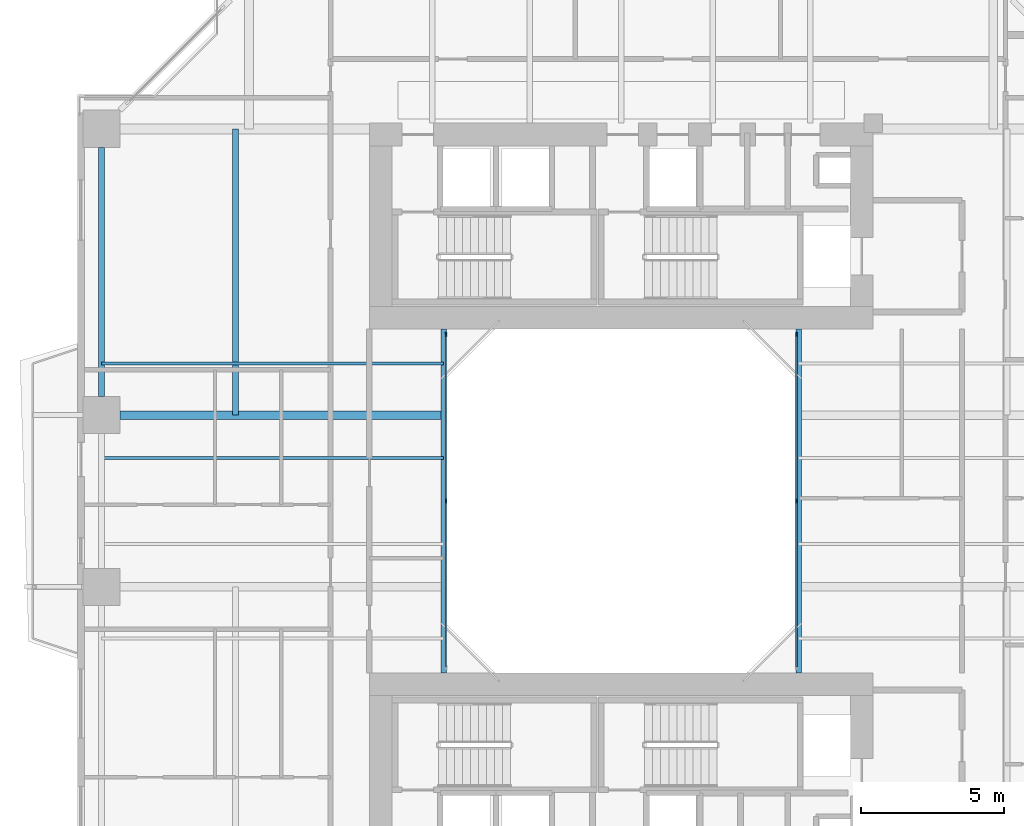
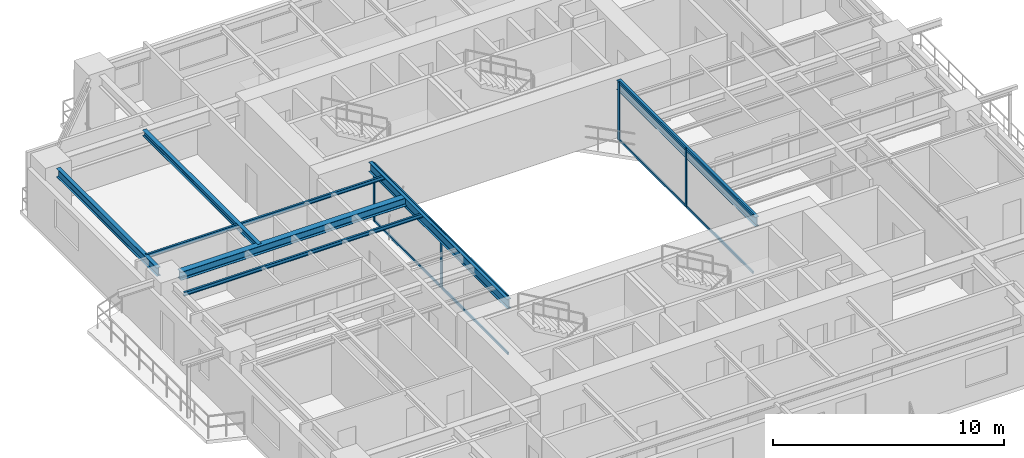
# One storey, part 4 of 23: 12 members, 7 beams, 2 elements without a shape of their own.
"""IFC4 building model written with IfcOpenShell, lengths in metres."""

from ifc_helpers import new_model, si_unit, direction, frame, origin, origin_2d, place, context, subcontext, project, spatial, rectangle, i_section, extrude, source, transform, mapped, material, layer, layer_set, material_profile, profile_set, type_object, element, aggregate, save


model = new_model("IFC4")

# Units and contexts
model_context = context("Model", 3, precision=1e-05, world=origin(), true_north=direction((0.0, 1.0)))
body_context = subcontext(model_context, "Body", "Model", "MODEL_VIEW")
ifc_project = project(units=[si_unit("LENGTHUNIT", "METRE"), si_unit("AREAUNIT", "SQUARE_METRE"), si_unit("VOLUMEUNIT", "CUBIC_METRE"), si_unit("PLANEANGLEUNIT", "RADIAN"), si_unit("MASSUNIT", "GRAM", prefix="KILO"), si_unit("THERMODYNAMICTEMPERATUREUNIT", "KELVIN"), si_unit("POWERUNIT", "WATT")], contexts=[model_context])

# Site, building, storey
site_placement = place(None, origin())
site = spatial("IfcSite", under=ifc_project, at=site_placement, CompositionType="ELEMENT")
building_placement = place(site_placement, origin())
building = spatial("IfcBuilding", under=site, at=building_placement, Name="Qiaomeng Ring Towers", CompositionType="ELEMENT")
storey_placement = place(building_placement, frame((0.0, 0.0, 32.75)))
storey = spatial("IfcBuildingStorey", under=building, at=storey_placement, Name="L08", CompositionType="ELEMENT", Elevation=32.75)

# Beams
ifc_material_1 = material(Name="Steel Q355B", Category="steel")
ifc_material_profile_1 = material_profile(ifc_material_1, i_section(OverallWidth=0.199951171875, OverallDepth=0.5, WebThickness=0.010009765625, FlangeThickness=0.01611328125, FilletRadius=0.02001953125, at=origin_2d()), Name="HN 500x200x10x16")
ifc_profile_set_1 = profile_set([ifc_material_profile_1], Name="Steel Q355B")
beam_type_1 = type_object("IfcBeamType", Name="STR-BM-HN500", PredefinedType="BEAM", material=ifc_profile_set_1)
shared_shape_1 = source(origin(), body_context, "Body", "SweptSolid", [
    extrude(i_section(OverallWidth=0.199951171875, OverallDepth=0.5, WebThickness=0.010009765625, FlangeThickness=0.01611328125, FilletRadius=0.02001953125, at=origin_2d()), origin(), (0.0, 0.0, 1.0), 12.0),
])
for number, where, z_axis, x_axis, name in (
    (1, (12.800048828125, 17.0, 2.820068359375), (0.0, 1.0, 0.0), (-1.0, 0.0, 0.0), "L08 beam STR-BM-L08-WELL-W"),
    (2, (25.199951171875, 17.0, 2.820068359375), (0.0, 1.0, 0.0), (-1.0, 0.0, 0.0), "L08 beam STR-BM-L08-WELL-E"),
):
    element("IfcBeam", number, at=place(storey_placement, frame(where, z_axis=z_axis, x_axis=x_axis)), inside=storey, type_object=beam_type_1, Name=name, PredefinedType="BEAM", context=body_context, shape_type="MappedRepresentation", body=[
        mapped(shared_shape_1, transform((0.0, 0.0, 0.0), x_axis=(1.0, 0.0, 0.0), y_axis=(0.0, 1.0, 0.0), z_axis=(0.0, 0.0, 1.0), scale=1.0)),
    ])
ifc_material_profile_2 = material_profile(ifc_material_1, i_section(OverallWidth=0.199951171875, OverallDepth=0.449951171875, WebThickness=0.009033203125, FlangeThickness=0.013916015625, FilletRadius=0.01806640625, at=origin_2d()), Name="HN 450x200x9x14")
ifc_profile_set_2 = profile_set([ifc_material_profile_2], Name="Steel Q355B")
beam_type_2 = type_object("IfcBeamType", Name="STR-BM-HN450", PredefinedType="SPANDREL", material=ifc_profile_set_2)
shared_shape_2 = source(origin(), body_context, "Body", "SweptSolid", [
    extrude(i_section(OverallWidth=0.199951171875, OverallDepth=0.449951171875, WebThickness=0.009033203125, FlangeThickness=0.013916015625, FilletRadius=0.01806640625, at=origin_2d()), origin(), (0.0, 0.0, 1.0), 8.7021484375),
])
beam_1_placement = place(storey_placement, frame((0.85009765625, 35.35107421875, 2.844970703125), z_axis=(0.0, -1.0, 0.0), x_axis=(1.0, 0.0, 0.0)))
element("IfcBeam", 3, at=beam_1_placement, inside=storey, type_object=beam_type_2, Name="L08 beam STR-SP-L08-T1-W4-W3", PredefinedType="SPANDREL", context=body_context, shape_type="MappedRepresentation", body=[
    mapped(shared_shape_2, transform((0.0, 0.0, 0.0), x_axis=(1.0, 0.0, 0.0), y_axis=(0.0, 1.0, 0.0), z_axis=(0.0, 0.0, 1.0), scale=1.0)),
])
ifc_material_profile_3 = material_profile(ifc_material_1, i_section(OverallWidth=0.300048828125, OverallDepth=0.43994140625, WebThickness=0.010986328125, FlangeThickness=0.01806640625, FilletRadius=0.02392578125, at=origin_2d()), Name="HM 440x300x11x18")
ifc_profile_set_3 = profile_set([ifc_material_profile_3], Name="Steel Q355B")
beam_type_3 = type_object("IfcBeamType", Name="STR-BM-HM440", PredefinedType="BEAM", material=ifc_profile_set_3)
shared_shape_3 = source(origin(), body_context, "Body", "SweptSolid", [
    extrude(i_section(OverallWidth=0.300048828125, OverallDepth=0.43994140625, WebThickness=0.010986328125, FlangeThickness=0.01806640625, FilletRadius=0.02392578125, at=origin_2d()), origin(), (0.0, 0.0, 1.0), 11.301025390625),
])
beam_2_placement = place(storey_placement, frame((1.4990234375, 26.0, 2.85009765625), z_axis=(1.0, 0.0, 0.0), x_axis=(0.0, 1.0, 0.0)))
element("IfcBeam", 4, at=beam_2_placement, inside=storey, type_object=beam_type_3, Name="L08 beam STR-BM-L08-T1-RAD-W3", PredefinedType="BEAM", context=body_context, shape_type="MappedRepresentation", body=[
    mapped(shared_shape_3, transform((0.0, 0.0, 0.0), x_axis=(1.0, 0.0, 0.0), y_axis=(0.0, 1.0, 0.0), z_axis=(0.0, 0.0, 1.0), scale=1.0)),
])
ifc_material_profile_4 = material_profile(ifc_material_1, i_section(OverallWidth=0.10009765625, OverallDepth=0.199951171875, WebThickness=0.005615234375, FlangeThickness=0.008056640625, FilletRadius=0.010986328125, at=origin_2d()), Name="HN 200x100x5.5x8")
ifc_profile_set_4 = profile_set([ifc_material_profile_4], Name="Steel Q355B")
beam_type_4 = type_object("IfcBeamType", Name="STR-BM-HN200", PredefinedType="JOIST", material=ifc_profile_set_4)
shared_shape_4 = source(origin(), body_context, "Body", "SweptSolid", [
    extrude(i_section(OverallWidth=0.10009765625, OverallDepth=0.199951171875, WebThickness=0.005615234375, FlangeThickness=0.008056640625, FilletRadius=0.010986328125, at=origin_2d()), origin(), (0.0, 0.0, 1.0), 11.949951171875),
])
for number, where, z_axis, x_axis, name in (
    (5, (0.85009765625, 24.5, 2.969970703125), (1.0, 0.0, 0.0), (0.0, 1.0, 0.0), "L08 beam STR-JST-L08-T1W-3"),
    (6, (0.85009765625, 27.800048828125, 2.969970703125), (1.0, 0.0, 0.0), (0.0, 1.0, 0.0), "L08 beam STR-JST-L08-T1W-4"),
):
    element("IfcBeam", number, at=place(storey_placement, frame(where, z_axis=z_axis, x_axis=x_axis)), inside=storey, type_object=beam_type_4, Name=name, PredefinedType="JOIST", context=body_context, shape_type="MappedRepresentation", body=[
        mapped(shared_shape_4, transform((0.0, 0.0, 0.0), x_axis=(1.0, 0.0, 0.0), y_axis=(0.0, 1.0, 0.0), z_axis=(0.0, 0.0, 1.0), scale=1.0)),
    ])
ifc_material_profile_5 = material_profile(ifc_material_1, i_section(OverallWidth=0.199951171875, OverallDepth=0.2939453125, WebThickness=0.008056640625, FlangeThickness=0.011962890625, FilletRadius=0.01806640625, at=origin_2d()), Name="HM 294x200x8x12")
ifc_profile_set_5 = profile_set([ifc_material_profile_5], Name="Steel Q355B")
beam_type_5 = type_object("IfcBeamType", Name="STR-BM-HM294", PredefinedType="JOIST", material=ifc_profile_set_5)
shared_shape_5 = source(origin(), body_context, "Body", "SweptSolid", [
    extrude(i_section(OverallWidth=0.199951171875, OverallDepth=0.2939453125, WebThickness=0.008056640625, FlangeThickness=0.011962890625, FilletRadius=0.01806640625, at=origin_2d()), origin(), (0.0, 0.0, 1.0), 10.0),
])
beam_3_placement = place(storey_placement, frame((5.52490234375, 26.0, 2.923095703125), z_axis=(0.0, 1.0, 0.0), x_axis=(-1.0, 0.0, 0.0)))
element("IfcBeam", 7, at=beam_3_placement, inside=storey, type_object=beam_type_5, Name="L08 beam STR-JST-L08-T1C-WN", PredefinedType="JOIST", context=body_context, shape_type="MappedRepresentation", body=[
    mapped(shared_shape_5, transform((0.0, 0.0, 0.0), x_axis=(1.0, 0.0, 0.0), y_axis=(0.0, 1.0, 0.0), z_axis=(0.0, 0.0, 1.0), scale=1.0)),
])

# Curtain wall, members
ifc_material_2 = material(Name="Fluorocarbon dark-grey aluminium", Category="aluminium")
ifc_layer = layer(ifc_material_2, 0.139892578125, Name="Fluorocarbon dark-grey aluminium")
ifc_layer_set = layer_set([ifc_layer], Name="Fluorocarbon dark-grey aluminium")
curtain_wall_type = type_object("IfcCurtainWallType", Name="ARC-CW-4", PredefinedType="NOTDEFINED", material=ifc_layer_set)
curtain_wall_1_placement = place(storey_placement, origin())
curtain_wall_1 = element("IfcCurtainWall", 8, at=curtain_wall_1_placement, inside=storey, type_object=curtain_wall_type, Name="L08 Curtain Wall CW4", PredefinedType="NOTDEFINED")
ifc_material_profile_6 = material_profile(ifc_material_2, rectangle(XDim=0.06494140625, YDim=0.159912109375, at=origin_2d()), Name="ALU MULL 65x160")
ifc_profile_set_6 = profile_set([ifc_material_profile_6], Name="Fluorocarbon dark-grey aluminium")
member_type_1 = type_object("IfcMemberType", Name="ARC-CWM-140", PredefinedType="MULLION", material=ifc_profile_set_6)
shared_shape_6 = source(origin(), body_context, "Body", "SweptSolid", [
    extrude(rectangle(XDim=0.06494140625, YDim=0.159912109375, at=origin_2d()), origin(), (0.0, 0.0, 1.0), 3.070068359375),
])
member_1_placement = place(storey_placement, frame((12.8798828125, 23.0, 0.0), z_axis=(0.0, 0.0, 1.0), x_axis=(-1.0, 0.0, 0.0)))
member_1 = element("IfcMember", 9, at=member_1_placement, type_object=member_type_1, Name="CW4 mullion 2", PredefinedType="MULLION", context=body_context, shape_type="MappedRepresentation", body=[
    mapped(shared_shape_6, transform((0.0, 0.0, 0.0), x_axis=(1.0, 0.0, 0.0), y_axis=(0.0, 1.0, 0.0), z_axis=(0.0, 0.0, 1.0), scale=1.0)),
])
member_2_placement = place(storey_placement, frame((12.8798828125, 28.8173828125, 0.0), z_axis=(0.0, 0.0, 1.0), x_axis=(-1.0, 0.0, 0.0)))
member_2 = element("IfcMember", 10, at=member_2_placement, type_object=member_type_1, Name="CW4 mullion 3", PredefinedType="MULLION", context=body_context, shape_type="MappedRepresentation", body=[
    mapped(shared_shape_6, transform((0.0, 0.0, 0.0), x_axis=(1.0, 0.0, 0.0), y_axis=(0.0, 1.0, 0.0), z_axis=(0.0, 0.0, 1.0), scale=1.0)),
])

curtain_wall_2_placement = place(storey_placement, origin())
curtain_wall_2 = element("IfcCurtainWall", 11, at=curtain_wall_2_placement, inside=storey, type_object=curtain_wall_type, Name="L08 Curtain Wall CW4", PredefinedType="NOTDEFINED")
member_3_placement = place(storey_placement, frame((25.1201171875, 23.0, 0.0), z_axis=(0.0, 0.0, 1.0), x_axis=(-1.0, 0.0, 0.0)))
member_3 = element("IfcMember", 12, at=member_3_placement, type_object=member_type_1, Name="CW4 mullion 2", PredefinedType="MULLION", context=body_context, shape_type="MappedRepresentation", body=[
    mapped(shared_shape_6, transform((0.0, 0.0, 0.0), x_axis=(1.0, 0.0, 0.0), y_axis=(0.0, 1.0, 0.0), z_axis=(0.0, 0.0, 1.0), scale=1.0)),
])
member_4_placement = place(storey_placement, frame((25.1201171875, 28.8173828125, 0.0), z_axis=(0.0, 0.0, 1.0), x_axis=(-1.0, 0.0, 0.0)))
member_4 = element("IfcMember", 13, at=member_4_placement, type_object=member_type_1, Name="CW4 mullion 3", PredefinedType="MULLION", context=body_context, shape_type="MappedRepresentation", body=[
    mapped(shared_shape_6, transform((0.0, 0.0, 0.0), x_axis=(1.0, 0.0, 0.0), y_axis=(0.0, 1.0, 0.0), z_axis=(0.0, 0.0, 1.0), scale=1.0)),
])

# Member
ifc_material_profile_7 = material_profile(ifc_material_2, rectangle(XDim=0.06494140625, YDim=0.1298828125, at=origin_2d()), Name="ALU TRAN 65x130")
ifc_profile_set_7 = profile_set([ifc_material_profile_7], Name="Fluorocarbon dark-grey aluminium")
member_type_2 = type_object("IfcMemberType", Name="ARC-CWT-120", PredefinedType="USERDEFINED", material=ifc_profile_set_7)
shared_shape_7 = source(origin(), body_context, "Body", "SweptSolid", [
    extrude(rectangle(XDim=0.06494140625, YDim=0.1298828125, at=origin_2d()), origin(), (0.0, 0.0, 1.0), 5.75244140625),
])
member_5_placement = place(storey_placement, frame((12.8798828125, 17.215087890625, 0.032470703125), z_axis=(0.0, 1.0, 0.0), x_axis=(-1.0, 0.0, 0.0)))
member_5 = element("IfcMember", 14, at=member_5_placement, type_object=member_type_2, Name="CW4 transom 1.1", ObjectType="TRANSOM", PredefinedType="USERDEFINED", context=body_context, shape_type="MappedRepresentation", body=[
    mapped(shared_shape_7, transform((0.0, 0.0, 0.0), x_axis=(1.0, 0.0, 0.0), y_axis=(0.0, 1.0, 0.0), z_axis=(0.0, 0.0, 1.0), scale=1.0)),
])

member_6_placement = place(storey_placement, frame((12.8798828125, 17.215087890625, 3.03759765625), z_axis=(0.0, 1.0, 0.0), x_axis=(-1.0, 0.0, 0.0)))
member_6 = element("IfcMember", 15, at=member_6_placement, type_object=member_type_2, Name="CW4 transom 1.2", ObjectType="TRANSOM", PredefinedType="USERDEFINED", context=body_context, shape_type="MappedRepresentation", body=[
    mapped(shared_shape_7, transform((0.0, 0.0, 0.0), x_axis=(1.0, 0.0, 0.0), y_axis=(0.0, 1.0, 0.0), z_axis=(0.0, 0.0, 1.0), scale=1.0)),
])

member_7_placement = place(storey_placement, frame((12.8798828125, 23.032470703125, 0.032470703125), z_axis=(0.0, 1.0, 0.0), x_axis=(-1.0, 0.0, 0.0)))
member_7 = element("IfcMember", 16, at=member_7_placement, type_object=member_type_2, Name="CW4 transom 2.1", ObjectType="TRANSOM", PredefinedType="USERDEFINED", context=body_context, shape_type="MappedRepresentation", body=[
    mapped(shared_shape_7, transform((0.0, 0.0, 0.0), x_axis=(1.0, 0.0, 0.0), y_axis=(0.0, 1.0, 0.0), z_axis=(0.0, 0.0, 1.0), scale=1.0)),
])

member_8_placement = place(storey_placement, frame((12.8798828125, 23.032470703125, 3.03759765625), z_axis=(0.0, 1.0, 0.0), x_axis=(-1.0, 0.0, 0.0)))
member_8 = element("IfcMember", 17, at=member_8_placement, type_object=member_type_2, Name="CW4 transom 2.2", ObjectType="TRANSOM", PredefinedType="USERDEFINED", context=body_context, shape_type="MappedRepresentation", body=[
    mapped(shared_shape_7, transform((0.0, 0.0, 0.0), x_axis=(1.0, 0.0, 0.0), y_axis=(0.0, 1.0, 0.0), z_axis=(0.0, 0.0, 1.0), scale=1.0)),
])

aggregate(curtain_wall_1, [member_1, member_2, member_5, member_6, member_7, member_8])

member_9_placement = place(storey_placement, frame((25.1201171875, 17.215087890625, 0.032470703125), z_axis=(0.0, 1.0, 0.0), x_axis=(-1.0, 0.0, 0.0)))
member_9 = element("IfcMember", 18, at=member_9_placement, type_object=member_type_2, Name="CW4 transom 1.1", ObjectType="TRANSOM", PredefinedType="USERDEFINED", context=body_context, shape_type="MappedRepresentation", body=[
    mapped(shared_shape_7, transform((0.0, 0.0, 0.0), x_axis=(1.0, 0.0, 0.0), y_axis=(0.0, 1.0, 0.0), z_axis=(0.0, 0.0, 1.0), scale=1.0)),
])

member_10_placement = place(storey_placement, frame((25.1201171875, 17.215087890625, 3.03759765625), z_axis=(0.0, 1.0, 0.0), x_axis=(-1.0, 0.0, 0.0)))
member_10 = element("IfcMember", 19, at=member_10_placement, type_object=member_type_2, Name="CW4 transom 1.2", ObjectType="TRANSOM", PredefinedType="USERDEFINED", context=body_context, shape_type="MappedRepresentation", body=[
    mapped(shared_shape_7, transform((0.0, 0.0, 0.0), x_axis=(1.0, 0.0, 0.0), y_axis=(0.0, 1.0, 0.0), z_axis=(0.0, 0.0, 1.0), scale=1.0)),
])

member_11_placement = place(storey_placement, frame((25.1201171875, 23.032470703125, 0.032470703125), z_axis=(0.0, 1.0, 0.0), x_axis=(-1.0, 0.0, 0.0)))
member_11 = element("IfcMember", 20, at=member_11_placement, type_object=member_type_2, Name="CW4 transom 2.1", ObjectType="TRANSOM", PredefinedType="USERDEFINED", context=body_context, shape_type="MappedRepresentation", body=[
    mapped(shared_shape_7, transform((0.0, 0.0, 0.0), x_axis=(1.0, 0.0, 0.0), y_axis=(0.0, 1.0, 0.0), z_axis=(0.0, 0.0, 1.0), scale=1.0)),
])

member_12_placement = place(storey_placement, frame((25.1201171875, 23.032470703125, 3.03759765625), z_axis=(0.0, 1.0, 0.0), x_axis=(-1.0, 0.0, 0.0)))
member_12 = element("IfcMember", 21, at=member_12_placement, type_object=member_type_2, Name="CW4 transom 2.2", ObjectType="TRANSOM", PredefinedType="USERDEFINED", context=body_context, shape_type="MappedRepresentation", body=[
    mapped(shared_shape_7, transform((0.0, 0.0, 0.0), x_axis=(1.0, 0.0, 0.0), y_axis=(0.0, 1.0, 0.0), z_axis=(0.0, 0.0, 1.0), scale=1.0)),
])

aggregate(curtain_wall_2, [member_3, member_4, member_9, member_10, member_11, member_12])

save(model, "model.ifc")
